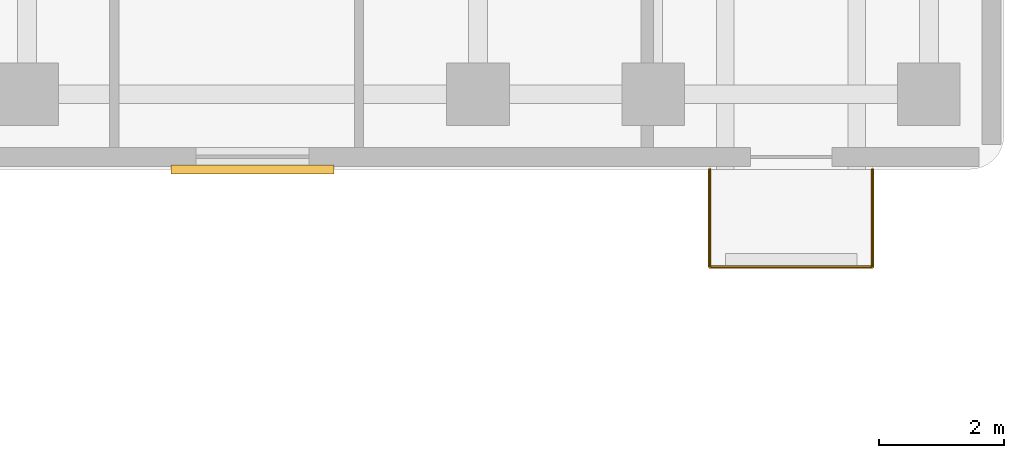
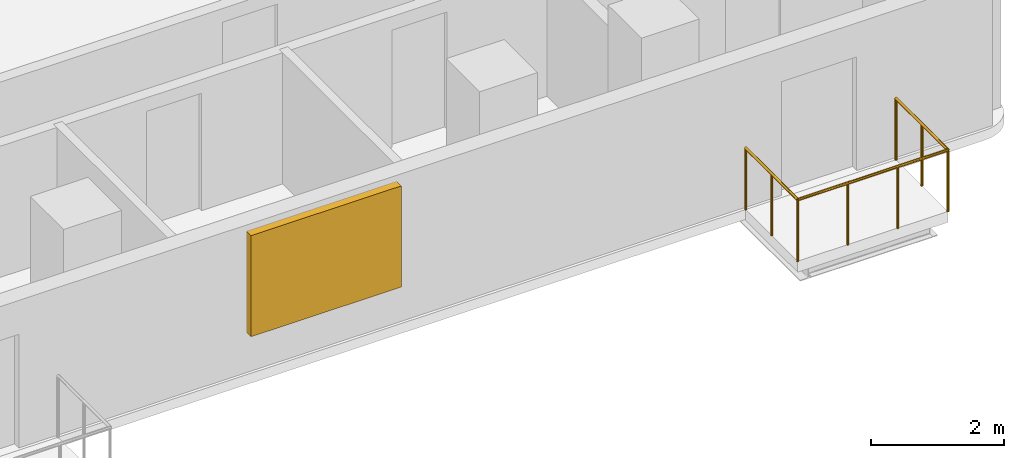
# One storey, part 7 of 7: 3 railings, 1 shading device.
"""IFC4 building model written with IfcOpenShell, lengths in metres."""

from ifc_helpers import new_model, si_unit, direction, frame, origin, origin_2d, place, context, subcontext, project, spatial, rectangle, circle, extrude, material, layer, layer_set, type_object, element, save


model = new_model("IFC4")

# Units and contexts
model_context = context("Model", 3, precision=1e-05, world=origin(), true_north=direction((0.0, 1.0)))
body_context = subcontext(model_context, "Body", "Model", "MODEL_VIEW")
ifc_project = project(units=[si_unit("LENGTHUNIT", "METRE"), si_unit("AREAUNIT", "SQUARE_METRE"), si_unit("VOLUMEUNIT", "CUBIC_METRE"), si_unit("PLANEANGLEUNIT", "RADIAN"), si_unit("MASSUNIT", "GRAM", prefix="KILO")], contexts=[model_context])

# Site, building, storey
site_placement = place(None, origin())
site = spatial("IfcSite", under=ifc_project, at=site_placement, CompositionType="ELEMENT")
building_placement = place(site_placement, origin())
building = spatial("IfcBuilding", under=site, at=building_placement, Name="Kuzgunbayir Cultural Tower", CompositionType="ELEMENT")
storey_placement = place(building_placement, frame((0.0, 0.0, 110.60009765625)))
storey = spatial("IfcBuildingStorey", under=building, at=storey_placement, Name="L31", CompositionType="ELEMENT", Elevation=110.60009765625)

# Railings
ifc_material_1 = material(Name="Laminated Glass and Stainless Steel", Category="steel")
ifc_layer = layer(ifc_material_1, 0.080078125)
ifc_layer_set = layer_set([ifc_layer], Name="Laminated Glass and Stainless Steel")
railing_type = type_object("IfcRailingType", Name="RLG-BAL-115", PredefinedType="BALUSTRADE", material=ifc_layer_set)
railing_1_placement = place(storey_placement, frame((42.10009765625, 26.39990234375, 0.0)))
element("IfcRailing", 1, at=railing_1_placement, inside=storey, type_object=railing_type, Name="L31 Balcony Guard BAL-L31-WB3 Segment 1", PredefinedType="BALUSTRADE", context=body_context, shape_type="SweptSolid", body=[
    extrude(circle(Radius=0.02392578125, at=origin_2d()), frame((0.0, 0.0, 1.1259765625), z_axis=(0.0, -1.0, 0.0), x_axis=(1.0, 0.0, 0.0)), (0.0, 0.0, 1.0), 1.559814453125),
    extrude(circle(Radius=0.02099609375, at=origin_2d()), origin(), (0.0, 0.0, 1.0), 1.101806640625),
    extrude(circle(Radius=0.02099609375, at=origin_2d()), frame((0.0, -0.77978515625, 0.0)), (0.0, 0.0, 1.0), 1.101806640625),
    extrude(circle(Radius=0.02099609375, at=origin_2d()), frame((0.0, -1.559814453125, 0.0)), (0.0, 0.0, 1.0), 1.101806640625),
])
railing_2_placement = place(storey_placement, frame((42.10009765625, 24.840087890625, 0.0)))
element("IfcRailing", 2, at=railing_2_placement, inside=storey, type_object=railing_type, Name="L31 Balcony Guard BAL-L31-WB3 Segment 2", PredefinedType="BALUSTRADE", context=body_context, shape_type="SweptSolid", body=[
    extrude(circle(Radius=0.02392578125, at=origin_2d()), frame((0.0, 0.0, 1.1259765625), z_axis=(1.0, 0.0, 0.0), x_axis=(0.0, 1.0, 0.0)), (0.0, 0.0, 1.0), 2.599853515625),
    extrude(circle(Radius=0.02099609375, at=origin_2d()), origin(), (0.0, 0.0, 1.0), 1.101806640625),
    extrude(circle(Radius=0.02099609375, at=origin_2d()), frame((0.86669921875, 0.0, 0.0)), (0.0, 0.0, 1.0), 1.101806640625),
    extrude(circle(Radius=0.02099609375, at=origin_2d()), frame((1.733154296875, 0.0, 0.0)), (0.0, 0.0, 1.0), 1.101806640625),
    extrude(circle(Radius=0.02099609375, at=origin_2d()), frame((2.599853515625, 0.0, 0.0)), (0.0, 0.0, 1.0), 1.101806640625),
])
railing_3_placement = place(storey_placement, frame((44.699951171875, 24.840087890625, 0.0)))
element("IfcRailing", 3, at=railing_3_placement, inside=storey, type_object=railing_type, Name="L31 Balcony Guard BAL-L31-WB3 Segment 3", PredefinedType="BALUSTRADE", context=body_context, shape_type="SweptSolid", body=[
    extrude(circle(Radius=0.02392578125, at=origin_2d()), frame((0.0, 0.0, 1.1259765625), z_axis=(0.0, 1.0, 0.0), x_axis=(-1.0, 0.0, 0.0)), (0.0, 0.0, 1.0), 1.559814453125),
    extrude(circle(Radius=0.02099609375, at=origin_2d()), origin(), (0.0, 0.0, 1.0), 1.101806640625),
    extrude(circle(Radius=0.02099609375, at=origin_2d()), frame((0.0, 0.77978515625, 0.0)), (0.0, 0.0, 1.0), 1.101806640625),
    extrude(circle(Radius=0.02099609375, at=origin_2d()), frame((0.0, 1.559814453125, 0.0)), (0.0, 0.0, 1.0), 1.101806640625),
])

# Shading device
ifc_material_2 = material(Name="Perforated Bronze-Anodised Aluminium", Category="aluminium")
shading_device_type = type_object("IfcShadingDeviceType", Name="SHD-SOLAR-BRONZE", PredefinedType="JALOUSIE", material=ifc_material_2)
shading_device_placement = place(storey_placement, frame((34.800048828125, 26.39990234375, 0.724853515625), z_axis=(0.0, 0.0, 1.0), x_axis=(1.0, 0.0, 0.0)))
element("IfcShadingDevice", 4, at=shading_device_placement, inside=storey, type_object=shading_device_type, Name="L31 Solar Screen WBS12", PredefinedType="JALOUSIE", context=body_context, shape_type="SweptSolid", body=[
    extrude(rectangle(XDim=2.60009765625, YDim=0.139892578125, at=origin_2d()), origin(), (0.0, 0.0, 1.0), 1.85009765625),
])

save(model, "model.ifc")
